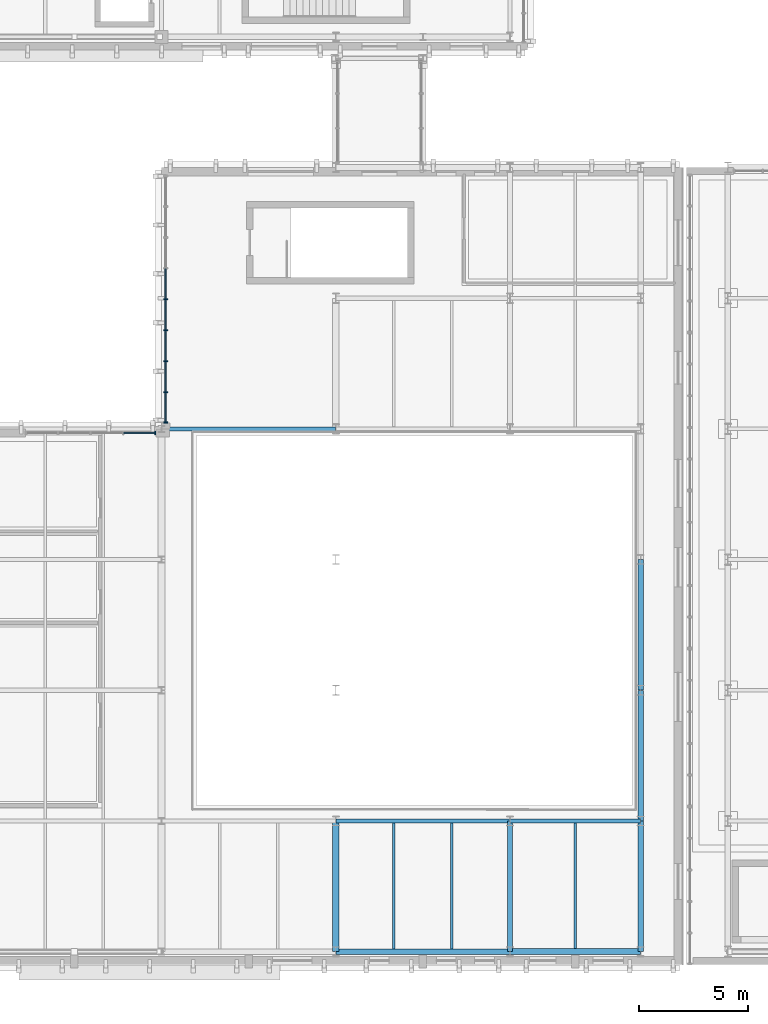
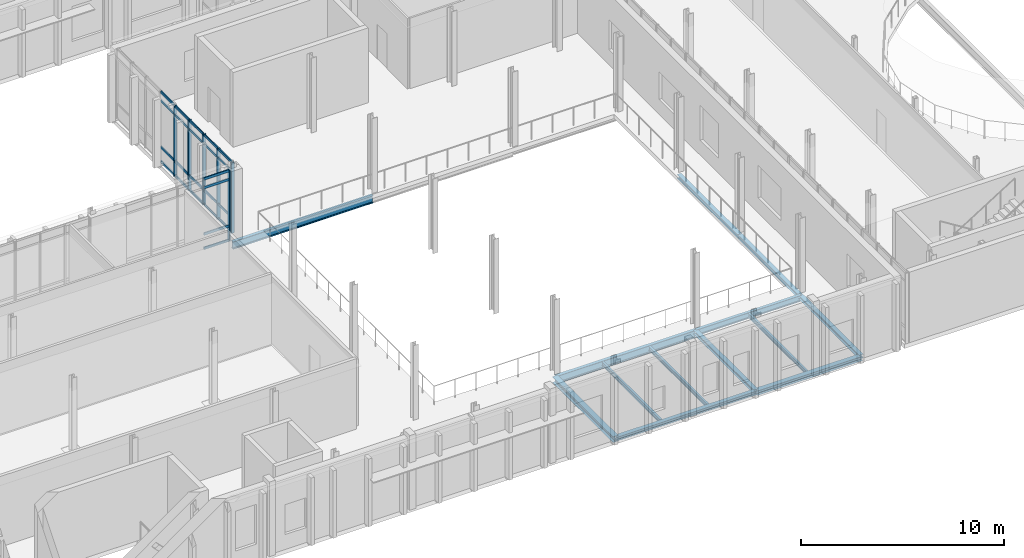
# One storey, part 16 of 100: 30 members, 13 beams, 2 elements without a shape of their own.
"""IFC4 building model written with IfcOpenShell, lengths in metres."""

from ifc_helpers import new_model, si_unit, direction, frame, origin, origin_2d, place, context, subcontext, project, spatial, rectangle, i_section, extrude, material, material_profile, profile_set, type_object, element, aggregate, save


model = new_model("IFC4")

# Units and contexts
model_context = context("Model", 3, precision=1e-05, world=origin(), true_north=direction((0.0, 1.0)))
body_context = subcontext(model_context, "Body", "Model", "MODEL_VIEW")
ifc_project = project(units=[si_unit("LENGTHUNIT", "METRE"), si_unit("AREAUNIT", "SQUARE_METRE"), si_unit("VOLUMEUNIT", "CUBIC_METRE"), si_unit("PLANEANGLEUNIT", "RADIAN"), si_unit("MASSUNIT", "GRAM", prefix="KILO")], contexts=[model_context])

# Site, building, storey
site_placement = place(None, origin())
site = spatial("IfcSite", under=ifc_project, at=site_placement, CompositionType="ELEMENT")
building_placement = place(site_placement, origin())
building = spatial("IfcBuilding", under=site, at=building_placement, Name="Cymarion Research Institute", CompositionType="ELEMENT")
storey_placement = place(building_placement, frame((0.0, 0.0, 9.300048828125)))
storey = spatial("IfcBuildingStorey", under=building, at=storey_placement, Name="L02", CompositionType="ELEMENT", Elevation=9.300048828125)

# Curtain wall, members
ifc_material_1 = material(Name="Anodised aluminium unitised curtain wall with Low-E glazing", Category="aluminium")
curtain_wall_type_1 = type_object("IfcCurtainWallType", Name="UNITISED CURTAIN WALL CW15 11380X4250", PredefinedType="NOTDEFINED", material=ifc_material_1)
curtain_wall_1_placement = place(storey_placement, origin())
curtain_wall_1 = element("IfcCurtainWall", 1, at=curtain_wall_1_placement, inside=storey, type_object=curtain_wall_type_1, Name="L02 V3 unitised curtain wall CW15 #93", PredefinedType="NOTDEFINED")
ifc_material_2 = material(Name="Anodised aluminium framing", Category="aluminium")
ifc_material_profile_1 = material_profile(ifc_material_2, rectangle(XDim=0.06005859375, YDim=0.179931640625, at=origin_2d()), Name="ALU MULLION 60x180")
ifc_profile_set_1 = profile_set([ifc_material_profile_1], Name="Anodised aluminium framing")
member_type_1 = type_object("IfcMemberType", Name="CURTAIN WALL MULLION ML01 60X180", PredefinedType="MULLION", material=ifc_profile_set_1)
member_1_placement = place(storey_placement, frame((30.7900390625, 35.448974609375, 0.0), z_axis=(0.0, 0.0, 1.0), x_axis=(0.0, -1.0, 0.0)))
member_1 = element("IfcMember", 2, at=member_1_placement, type_object=member_type_1, Name="CW15 mullion 5", PredefinedType="MULLION", context=body_context, shape_type="SweptSolid", body=[
    extrude(rectangle(XDim=0.06005859375, YDim=0.179931640625, at=origin_2d()), origin(), (0.0, 0.0, 1.0), 4.25),
])
member_2_placement = place(storey_placement, frame((30.7900390625, 34.02685546875, 0.0), z_axis=(0.0, 0.0, 1.0), x_axis=(0.0, -1.0, 0.0)))
member_2 = element("IfcMember", 3, at=member_2_placement, type_object=member_type_1, Name="CW15 mullion 6", PredefinedType="MULLION", context=body_context, shape_type="SweptSolid", body=[
    extrude(rectangle(XDim=0.06005859375, YDim=0.179931640625, at=origin_2d()), origin(), (0.0, 0.0, 1.0), 4.25),
])
member_3_placement = place(storey_placement, frame((30.7900390625, 32.6044921875, 0.0), z_axis=(0.0, 0.0, 1.0), x_axis=(0.0, -1.0, 0.0)))
member_3 = element("IfcMember", 4, at=member_3_placement, type_object=member_type_1, Name="CW15 mullion 7", PredefinedType="MULLION", context=body_context, shape_type="SweptSolid", body=[
    extrude(rectangle(XDim=0.06005859375, YDim=0.179931640625, at=origin_2d()), origin(), (0.0, 0.0, 1.0), 4.25),
])
member_4_placement = place(storey_placement, frame((30.7900390625, 31.18212890625, 0.0), z_axis=(0.0, 0.0, 1.0), x_axis=(0.0, -1.0, 0.0)))
member_4 = element("IfcMember", 5, at=member_4_placement, type_object=member_type_1, Name="CW15 mullion 8", PredefinedType="MULLION", context=body_context, shape_type="SweptSolid", body=[
    extrude(rectangle(XDim=0.06005859375, YDim=0.179931640625, at=origin_2d()), origin(), (0.0, 0.0, 1.0), 4.25),
])
member_5_placement = place(storey_placement, frame((30.7900390625, 29.7900390625, 0.0), z_axis=(0.0, 0.0, 1.0), x_axis=(0.0, -1.0, 0.0)))
member_5 = element("IfcMember", 6, at=member_5_placement, type_object=member_type_1, Name="CW15 mullion 9", PredefinedType="MULLION", context=body_context, shape_type="SweptSolid", body=[
    extrude(rectangle(XDim=0.06005859375, YDim=0.179931640625, at=origin_2d()), origin(), (0.0, 0.0, 1.0), 4.25),
])

# Curtain wall, member
curtain_wall_type_2 = type_object("IfcCurtainWallType", Name="UNITISED CURTAIN WALL CW16 5990X4250", PredefinedType="NOTDEFINED", material=ifc_material_1)
curtain_wall_2_placement = place(storey_placement, origin())
curtain_wall_2 = element("IfcCurtainWall", 7, at=curtain_wall_2_placement, inside=storey, type_object=curtain_wall_type_2, Name="L02 V3 unitised curtain wall CW16 #94", PredefinedType="NOTDEFINED")
member_6_placement = place(storey_placement, frame((30.31005859375, 29.31005859375, 0.0), z_axis=(0.0, 0.0, 1.0), x_axis=(-1.0, 0.0, 0.0)))
member_6 = element("IfcMember", 8, at=member_6_placement, type_object=member_type_1, Name="CW16 mullion 1", PredefinedType="MULLION", context=body_context, shape_type="SweptSolid", body=[
    extrude(rectangle(XDim=0.06005859375, YDim=0.179931640625, at=origin_2d()), origin(), (0.0, 0.0, 1.0), 4.25),
])

# Member
ifc_material_profile_2 = material_profile(ifc_material_2, rectangle(XDim=0.06005859375, YDim=0.14990234375, at=origin_2d()), Name="ALU TRANSOM 60x150")
ifc_profile_set_2 = profile_set([ifc_material_profile_2], Name="Anodised aluminium framing")
member_type_2 = type_object("IfcMemberType", Name="CURTAIN WALL TRANSOM TR01 60X150", PredefinedType="USERDEFINED", material=ifc_profile_set_2)
member_7_placement = place(storey_placement, frame((30.7900390625, 36.84130859375, 0.030029296875), z_axis=(0.0, -1.0, 0.0), x_axis=(1.0, 0.0, 0.0)))
member_7 = element("IfcMember", 9, at=member_7_placement, type_object=member_type_2, Name="CW15 transom 4.1", ObjectType="TRANSOM", PredefinedType="USERDEFINED", context=body_context, shape_type="SweptSolid", body=[
    extrude(rectangle(XDim=0.06005859375, YDim=0.14990234375, at=origin_2d()), origin(), (0.0, 0.0, 1.0), 1.3623046875),
])

member_8_placement = place(storey_placement, frame((30.7900390625, 36.84130859375, 0.89990234375), z_axis=(0.0, -1.0, 0.0), x_axis=(1.0, 0.0, 0.0)))
member_8 = element("IfcMember", 10, at=member_8_placement, type_object=member_type_2, Name="CW15 transom 4.2", ObjectType="TRANSOM", PredefinedType="USERDEFINED", context=body_context, shape_type="SweptSolid", body=[
    extrude(rectangle(XDim=0.06005859375, YDim=0.14990234375, at=origin_2d()), origin(), (0.0, 0.0, 1.0), 1.3623046875),
])

member_9_placement = place(storey_placement, frame((30.7900390625, 36.84130859375, 3.699951171875), z_axis=(0.0, -1.0, 0.0), x_axis=(1.0, 0.0, 0.0)))
member_9 = element("IfcMember", 11, at=member_9_placement, type_object=member_type_2, Name="CW15 transom 4.3", ObjectType="TRANSOM", PredefinedType="USERDEFINED", context=body_context, shape_type="SweptSolid", body=[
    extrude(rectangle(XDim=0.06005859375, YDim=0.14990234375, at=origin_2d()), origin(), (0.0, 0.0, 1.0), 1.3623046875),
])

member_10_placement = place(storey_placement, frame((30.7900390625, 36.84130859375, 4.219970703125), z_axis=(0.0, -1.0, 0.0), x_axis=(1.0, 0.0, 0.0)))
member_10 = element("IfcMember", 12, at=member_10_placement, type_object=member_type_2, Name="CW15 transom 4.4", ObjectType="TRANSOM", PredefinedType="USERDEFINED", context=body_context, shape_type="SweptSolid", body=[
    extrude(rectangle(XDim=0.06005859375, YDim=0.14990234375, at=origin_2d()), origin(), (0.0, 0.0, 1.0), 1.3623046875),
])

member_11_placement = place(storey_placement, frame((30.7900390625, 35.4189453125, 0.030029296875), z_axis=(0.0, -1.0, 0.0), x_axis=(1.0, 0.0, 0.0)))
member_11 = element("IfcMember", 13, at=member_11_placement, type_object=member_type_2, Name="CW15 transom 5.1", ObjectType="TRANSOM", PredefinedType="USERDEFINED", context=body_context, shape_type="SweptSolid", body=[
    extrude(rectangle(XDim=0.06005859375, YDim=0.14990234375, at=origin_2d()), origin(), (0.0, 0.0, 1.0), 1.3623046875),
])

member_12_placement = place(storey_placement, frame((30.7900390625, 35.4189453125, 0.89990234375), z_axis=(0.0, -1.0, 0.0), x_axis=(1.0, 0.0, 0.0)))
member_12 = element("IfcMember", 14, at=member_12_placement, type_object=member_type_2, Name="CW15 transom 5.2", ObjectType="TRANSOM", PredefinedType="USERDEFINED", context=body_context, shape_type="SweptSolid", body=[
    extrude(rectangle(XDim=0.06005859375, YDim=0.14990234375, at=origin_2d()), origin(), (0.0, 0.0, 1.0), 1.3623046875),
])

member_13_placement = place(storey_placement, frame((30.7900390625, 35.4189453125, 3.699951171875), z_axis=(0.0, -1.0, 0.0), x_axis=(1.0, 0.0, 0.0)))
member_13 = element("IfcMember", 15, at=member_13_placement, type_object=member_type_2, Name="CW15 transom 5.3", ObjectType="TRANSOM", PredefinedType="USERDEFINED", context=body_context, shape_type="SweptSolid", body=[
    extrude(rectangle(XDim=0.06005859375, YDim=0.14990234375, at=origin_2d()), origin(), (0.0, 0.0, 1.0), 1.3623046875),
])

member_14_placement = place(storey_placement, frame((30.7900390625, 35.4189453125, 4.219970703125), z_axis=(0.0, -1.0, 0.0), x_axis=(1.0, 0.0, 0.0)))
member_14 = element("IfcMember", 16, at=member_14_placement, type_object=member_type_2, Name="CW15 transom 5.4", ObjectType="TRANSOM", PredefinedType="USERDEFINED", context=body_context, shape_type="SweptSolid", body=[
    extrude(rectangle(XDim=0.06005859375, YDim=0.14990234375, at=origin_2d()), origin(), (0.0, 0.0, 1.0), 1.3623046875),
])

member_15_placement = place(storey_placement, frame((30.7900390625, 33.996826171875, 0.030029296875), z_axis=(0.0, -1.0, 0.0), x_axis=(1.0, 0.0, 0.0)))
member_15 = element("IfcMember", 17, at=member_15_placement, type_object=member_type_2, Name="CW15 transom 6.1", ObjectType="TRANSOM", PredefinedType="USERDEFINED", context=body_context, shape_type="SweptSolid", body=[
    extrude(rectangle(XDim=0.06005859375, YDim=0.14990234375, at=origin_2d()), origin(), (0.0, 0.0, 1.0), 1.3623046875),
])

member_16_placement = place(storey_placement, frame((30.7900390625, 33.996826171875, 0.89990234375), z_axis=(0.0, -1.0, 0.0), x_axis=(1.0, 0.0, 0.0)))
member_16 = element("IfcMember", 18, at=member_16_placement, type_object=member_type_2, Name="CW15 transom 6.2", ObjectType="TRANSOM", PredefinedType="USERDEFINED", context=body_context, shape_type="SweptSolid", body=[
    extrude(rectangle(XDim=0.06005859375, YDim=0.14990234375, at=origin_2d()), origin(), (0.0, 0.0, 1.0), 1.3623046875),
])

member_17_placement = place(storey_placement, frame((30.7900390625, 33.996826171875, 3.699951171875), z_axis=(0.0, -1.0, 0.0), x_axis=(1.0, 0.0, 0.0)))
member_17 = element("IfcMember", 19, at=member_17_placement, type_object=member_type_2, Name="CW15 transom 6.3", ObjectType="TRANSOM", PredefinedType="USERDEFINED", context=body_context, shape_type="SweptSolid", body=[
    extrude(rectangle(XDim=0.06005859375, YDim=0.14990234375, at=origin_2d()), origin(), (0.0, 0.0, 1.0), 1.3623046875),
])

member_18_placement = place(storey_placement, frame((30.7900390625, 33.996826171875, 4.219970703125), z_axis=(0.0, -1.0, 0.0), x_axis=(1.0, 0.0, 0.0)))
member_18 = element("IfcMember", 20, at=member_18_placement, type_object=member_type_2, Name="CW15 transom 6.4", ObjectType="TRANSOM", PredefinedType="USERDEFINED", context=body_context, shape_type="SweptSolid", body=[
    extrude(rectangle(XDim=0.06005859375, YDim=0.14990234375, at=origin_2d()), origin(), (0.0, 0.0, 1.0), 1.3623046875),
])

member_19_placement = place(storey_placement, frame((30.7900390625, 32.574462890625, 0.030029296875), z_axis=(0.0, -1.0, 0.0), x_axis=(1.0, 0.0, 0.0)))
member_19 = element("IfcMember", 21, at=member_19_placement, type_object=member_type_2, Name="CW15 transom 7.1", ObjectType="TRANSOM", PredefinedType="USERDEFINED", context=body_context, shape_type="SweptSolid", body=[
    extrude(rectangle(XDim=0.06005859375, YDim=0.14990234375, at=origin_2d()), origin(), (0.0, 0.0, 1.0), 1.3623046875),
])

member_20_placement = place(storey_placement, frame((30.7900390625, 32.574462890625, 0.89990234375), z_axis=(0.0, -1.0, 0.0), x_axis=(1.0, 0.0, 0.0)))
member_20 = element("IfcMember", 22, at=member_20_placement, type_object=member_type_2, Name="CW15 transom 7.2", ObjectType="TRANSOM", PredefinedType="USERDEFINED", context=body_context, shape_type="SweptSolid", body=[
    extrude(rectangle(XDim=0.06005859375, YDim=0.14990234375, at=origin_2d()), origin(), (0.0, 0.0, 1.0), 1.3623046875),
])

member_21_placement = place(storey_placement, frame((30.7900390625, 32.574462890625, 3.699951171875), z_axis=(0.0, -1.0, 0.0), x_axis=(1.0, 0.0, 0.0)))
member_21 = element("IfcMember", 23, at=member_21_placement, type_object=member_type_2, Name="CW15 transom 7.3", ObjectType="TRANSOM", PredefinedType="USERDEFINED", context=body_context, shape_type="SweptSolid", body=[
    extrude(rectangle(XDim=0.06005859375, YDim=0.14990234375, at=origin_2d()), origin(), (0.0, 0.0, 1.0), 1.3623046875),
])

member_22_placement = place(storey_placement, frame((30.7900390625, 32.574462890625, 4.219970703125), z_axis=(0.0, -1.0, 0.0), x_axis=(1.0, 0.0, 0.0)))
member_22 = element("IfcMember", 24, at=member_22_placement, type_object=member_type_2, Name="CW15 transom 7.4", ObjectType="TRANSOM", PredefinedType="USERDEFINED", context=body_context, shape_type="SweptSolid", body=[
    extrude(rectangle(XDim=0.06005859375, YDim=0.14990234375, at=origin_2d()), origin(), (0.0, 0.0, 1.0), 1.3623046875),
])

member_23_placement = place(storey_placement, frame((30.7900390625, 31.15234375, 0.030029296875), z_axis=(0.0, -1.0, 0.0), x_axis=(1.0, 0.0, 0.0)))
member_23 = element("IfcMember", 25, at=member_23_placement, type_object=member_type_2, Name="CW15 transom 8.1", ObjectType="TRANSOM", PredefinedType="USERDEFINED", context=body_context, shape_type="SweptSolid", body=[
    extrude(rectangle(XDim=0.06005859375, YDim=0.14990234375, at=origin_2d()), origin(), (0.0, 0.0, 1.0), 1.332275390625),
])

member_24_placement = place(storey_placement, frame((30.7900390625, 31.15234375, 0.89990234375), z_axis=(0.0, -1.0, 0.0), x_axis=(1.0, 0.0, 0.0)))
member_24 = element("IfcMember", 26, at=member_24_placement, type_object=member_type_2, Name="CW15 transom 8.2", ObjectType="TRANSOM", PredefinedType="USERDEFINED", context=body_context, shape_type="SweptSolid", body=[
    extrude(rectangle(XDim=0.06005859375, YDim=0.14990234375, at=origin_2d()), origin(), (0.0, 0.0, 1.0), 1.332275390625),
])

member_25_placement = place(storey_placement, frame((30.7900390625, 31.15234375, 3.699951171875), z_axis=(0.0, -1.0, 0.0), x_axis=(1.0, 0.0, 0.0)))
member_25 = element("IfcMember", 27, at=member_25_placement, type_object=member_type_2, Name="CW15 transom 8.3", ObjectType="TRANSOM", PredefinedType="USERDEFINED", context=body_context, shape_type="SweptSolid", body=[
    extrude(rectangle(XDim=0.06005859375, YDim=0.14990234375, at=origin_2d()), origin(), (0.0, 0.0, 1.0), 1.332275390625),
])

member_26_placement = place(storey_placement, frame((30.7900390625, 31.15234375, 4.219970703125), z_axis=(0.0, -1.0, 0.0), x_axis=(1.0, 0.0, 0.0)))
member_26 = element("IfcMember", 28, at=member_26_placement, type_object=member_type_2, Name="CW15 transom 8.4", ObjectType="TRANSOM", PredefinedType="USERDEFINED", context=body_context, shape_type="SweptSolid", body=[
    extrude(rectangle(XDim=0.06005859375, YDim=0.14990234375, at=origin_2d()), origin(), (0.0, 0.0, 1.0), 1.332275390625),
])

aggregate(curtain_wall_1, [member_1, member_2, member_3, member_4, member_5, member_7, member_8, member_9, member_10, member_11, member_12, member_13, member_14, member_15, member_16, member_17, member_18, member_19, member_20, member_21, member_22, member_23, member_24, member_25, member_26])

member_27_placement = place(storey_placement, frame((30.280029296875, 29.31005859375, 0.030029296875), z_axis=(-1.0, 0.0, 0.0), x_axis=(0.0, -1.0, 0.0)))
member_27 = element("IfcMember", 29, at=member_27_placement, type_object=member_type_2, Name="CW16 transom 1.1", ObjectType="TRANSOM", PredefinedType="USERDEFINED", context=body_context, shape_type="SweptSolid", body=[
    extrude(rectangle(XDim=0.06005859375, YDim=0.14990234375, at=origin_2d()), origin(), (0.0, 0.0, 1.0), 1.407470703125),
])

member_28_placement = place(storey_placement, frame((30.280029296875, 29.31005859375, 0.89990234375), z_axis=(-1.0, 0.0, 0.0), x_axis=(0.0, -1.0, 0.0)))
member_28 = element("IfcMember", 30, at=member_28_placement, type_object=member_type_2, Name="CW16 transom 1.2", ObjectType="TRANSOM", PredefinedType="USERDEFINED", context=body_context, shape_type="SweptSolid", body=[
    extrude(rectangle(XDim=0.06005859375, YDim=0.14990234375, at=origin_2d()), origin(), (0.0, 0.0, 1.0), 1.407470703125),
])

member_29_placement = place(storey_placement, frame((30.280029296875, 29.31005859375, 3.699951171875), z_axis=(-1.0, 0.0, 0.0), x_axis=(0.0, -1.0, 0.0)))
member_29 = element("IfcMember", 31, at=member_29_placement, type_object=member_type_2, Name="CW16 transom 1.3", ObjectType="TRANSOM", PredefinedType="USERDEFINED", context=body_context, shape_type="SweptSolid", body=[
    extrude(rectangle(XDim=0.06005859375, YDim=0.14990234375, at=origin_2d()), origin(), (0.0, 0.0, 1.0), 1.407470703125),
])

member_30_placement = place(storey_placement, frame((30.280029296875, 29.31005859375, 4.219970703125), z_axis=(-1.0, 0.0, 0.0), x_axis=(0.0, -1.0, 0.0)))
member_30 = element("IfcMember", 32, at=member_30_placement, type_object=member_type_2, Name="CW16 transom 1.4", ObjectType="TRANSOM", PredefinedType="USERDEFINED", context=body_context, shape_type="SweptSolid", body=[
    extrude(rectangle(XDim=0.06005859375, YDim=0.14990234375, at=origin_2d()), origin(), (0.0, 0.0, 1.0), 1.407470703125),
])

aggregate(curtain_wall_2, [member_6, member_27, member_28, member_29, member_30])

# Beams
ifc_material_3 = material(Name="Steel S355", Category="steel")
ifc_material_profile_3 = material_profile(ifc_material_3, i_section(OverallWidth=0.18994140625, OverallDepth=0.449951171875, WebThickness=0.009521484375, FlangeThickness=0.0146484375, FilletRadius=0.02099609375, at=origin_2d()), Name="IPE 450")
ifc_profile_set_3 = profile_set([ifc_material_profile_3], Name="Steel S355")
beam_type_1 = type_object("IfcBeamType", Name="PRIMARY GIRDER BM04 IPE 450", PredefinedType="BEAM", material=ifc_profile_set_3)
for number, where, z_axis, x_axis, name in (
    (33, (38.60595703125, 11.5, -0.47509765625), (1.0, 0.0, 0.0), (0.0, 1.0, 0.0), "L02 V3 girder BM04 #950"),
    (34, (30.60595703125, 29.5, -0.47509765625), (1.0, 0.0, 0.0), (0.0, 1.0, 0.0), "L02 V3 girder BM04 #961"),
):
    element("IfcBeam", number, at=place(storey_placement, frame(where, z_axis=z_axis, x_axis=x_axis)), inside=storey, type_object=beam_type_1, Name=name, PredefinedType="BEAM", context=body_context, shape_type="SweptSolid", body=[
        extrude(i_section(OverallWidth=0.18994140625, OverallDepth=0.449951171875, WebThickness=0.009521484375, FlangeThickness=0.0146484375, FilletRadius=0.02099609375, at=origin_2d()), origin(), (0.0, 0.0, 1.0), 7.988037109375),
    ])
ifc_material_profile_4 = material_profile(ifc_material_3, i_section(OverallWidth=0.169921875, OverallDepth=0.360107421875, WebThickness=0.008056640625, FlangeThickness=0.0126953125, FilletRadius=0.01806640625, at=origin_2d()), Name="IPE 360")
ifc_profile_set_4 = profile_set([ifc_material_profile_4], Name="Steel S355")
beam_type_2 = type_object("IfcBeamType", Name="PRIMARY GIRDER BM06 IPE 360", PredefinedType="BEAM", material=ifc_profile_set_4)
beam_1_placement = place(storey_placement, frame((46.60595703125, 11.5, -0.429931640625), z_axis=(1.0, 0.0, 0.0), x_axis=(0.0, 1.0, 0.0)))
element("IfcBeam", 35, at=beam_1_placement, inside=storey, type_object=beam_type_2, Name="L02 V3 girder BM06 #951", PredefinedType="BEAM", context=body_context, shape_type="SweptSolid", body=[
    extrude(i_section(OverallWidth=0.169921875, OverallDepth=0.360107421875, WebThickness=0.008056640625, FlangeThickness=0.0126953125, FilletRadius=0.01806640625, at=origin_2d()), origin(), (0.0, 0.0, 1.0), 5.988037109375),
])
ifc_material_profile_5 = material_profile(ifc_material_3, i_section(OverallWidth=0.300048828125, OverallDepth=0.35009765625, WebThickness=0.010009765625, FlangeThickness=0.017578125, FilletRadius=0.027099609375, at=origin_2d()), Name="HEA 360")
ifc_profile_set_5 = profile_set([ifc_material_profile_5], Name="Steel S355")
beam_type_3 = type_object("IfcBeamType", Name="PRIMARY GIRDER BM12 HEA 360", PredefinedType="BEAM", material=ifc_profile_set_5)
beam_2_placement = place(storey_placement, frame((38.60009765625, 5.506103515625, -0.425048828125), z_axis=(0.0, 1.0, 0.0), x_axis=(-1.0, 0.0, 0.0)))
element("IfcBeam", 36, at=beam_2_placement, inside=storey, type_object=beam_type_3, Name="L02 V3 girder BM12 #985", PredefinedType="BEAM", context=body_context, shape_type="SweptSolid", body=[
    extrude(i_section(OverallWidth=0.300048828125, OverallDepth=0.35009765625, WebThickness=0.010009765625, FlangeThickness=0.017578125, FilletRadius=0.027099609375, at=origin_2d()), origin(), (0.0, 0.0, 1.0), 5.98779296875),
])
ifc_material_profile_6 = material_profile(ifc_material_3, i_section(OverallWidth=0.1201171875, OverallDepth=0.239990234375, WebThickness=0.006103515625, FlangeThickness=0.009765625, FilletRadius=0.014892578125, at=origin_2d()), Name="IPE 240")
ifc_profile_set_6 = profile_set([ifc_material_profile_6], Name="Steel S355")
beam_type_4 = type_object("IfcBeamType", Name="SECONDARY JOIST JS04 IPE 240", PredefinedType="JOIST", material=ifc_profile_set_6)
for number, where, z_axis, x_axis, name in (
    (37, (41.2666015625, 5.6240234375, -0.3701171875), (0.0, 1.0, 0.0), (-1.0, 0.0, 0.0), "L02 V3 secondary joist JS04 #1003"),
    (38, (43.933349609375, 5.6240234375, -0.3701171875), (0.0, 1.0, 0.0), (-1.0, 0.0, 0.0), "L02 V3 secondary joist JS04 #1004"),
):
    element("IfcBeam", number, at=place(storey_placement, frame(where, z_axis=z_axis, x_axis=x_axis)), inside=storey, type_object=beam_type_4, Name=name, PredefinedType="JOIST", context=body_context, shape_type="SweptSolid", body=[
        extrude(i_section(OverallWidth=0.1201171875, OverallDepth=0.239990234375, WebThickness=0.006103515625, FlangeThickness=0.009765625, FilletRadius=0.014892578125, at=origin_2d()), origin(), (0.0, 0.0, 1.0), 5.77685546875),
    ])
beam_3_placement = place(storey_placement, frame((49.60009765625, 5.64404296875, -0.3701171875), z_axis=(0.0, 1.0, 0.0), x_axis=(-1.0, 0.0, 0.0)))
element("IfcBeam", 39, at=beam_3_placement, inside=storey, type_object=beam_type_4, Name="L02 V3 secondary joist JS04 #1005", PredefinedType="JOIST", context=body_context, shape_type="SweptSolid", body=[
    extrude(i_section(OverallWidth=0.1201171875, OverallDepth=0.239990234375, WebThickness=0.006103515625, FlangeThickness=0.009765625, FilletRadius=0.014892578125, at=origin_2d()), origin(), (0.0, 0.0, 1.0), 5.766845703125),
])
ifc_material_profile_7 = material_profile(ifc_material_3, i_section(OverallWidth=0.280029296875, OverallDepth=0.27001953125, WebThickness=0.008056640625, FlangeThickness=0.012939453125, FilletRadius=0.02392578125, at=origin_2d()), Name="HEA 280")
ifc_profile_set_7 = profile_set([ifc_material_profile_7], Name="Steel S355")
beam_type_5 = type_object("IfcBeamType", Name="SPANDREL BEAM SPB02 HEA 280", PredefinedType="SPANDREL", material=ifc_profile_set_7)
beam_4_placement = place(storey_placement, frame((46.60595703125, 5.5, -0.385009765625), z_axis=(1.0, 0.0, 0.0), x_axis=(0.0, 1.0, 0.0)))
element("IfcBeam", 40, at=beam_4_placement, inside=storey, type_object=beam_type_5, Name="L02 V3 girder SPB02 #945", PredefinedType="SPANDREL", context=body_context, shape_type="SweptSolid", body=[
    extrude(i_section(OverallWidth=0.280029296875, OverallDepth=0.27001953125, WebThickness=0.008056640625, FlangeThickness=0.012939453125, FilletRadius=0.02392578125, at=origin_2d()), origin(), (0.0, 0.0, 1.0), 5.988037109375),
])
ifc_material_profile_8 = material_profile(ifc_material_3, i_section(OverallWidth=0.239990234375, OverallDepth=0.22998046875, WebThickness=0.007568359375, FlangeThickness=0.011962890625, FilletRadius=0.02099609375, at=origin_2d()), Name="HEA 240")
ifc_profile_set_8 = profile_set([ifc_material_profile_8], Name="Steel S355")
beam_type_6 = type_object("IfcBeamType", Name="SPANDREL BEAM SPB03 HEA 240", PredefinedType="SPANDREL", material=ifc_profile_set_8)
beam_5_placement = place(storey_placement, frame((38.60595703125, 5.5, -0.364990234375), z_axis=(1.0, 0.0, 0.0), x_axis=(0.0, 1.0, 0.0)))
element("IfcBeam", 41, at=beam_5_placement, inside=storey, type_object=beam_type_6, Name="L02 V3 girder SPB03 #944", PredefinedType="SPANDREL", context=body_context, shape_type="SweptSolid", body=[
    extrude(i_section(OverallWidth=0.239990234375, OverallDepth=0.22998046875, WebThickness=0.007568359375, FlangeThickness=0.011962890625, FilletRadius=0.02099609375, at=origin_2d()), origin(), (0.0, 0.0, 1.0), 7.988037109375),
])
for number, where, z_axis, x_axis, name in (
    (42, (46.60009765625, 5.506103515625, -0.364990234375), (0.0, 1.0, 0.0), (-1.0, 0.0, 0.0), "L02 V3 girder SPB03 #989"),
    (43, (52.60009765625, 5.506103515625, -0.364990234375), (0.0, 1.0, 0.0), (-1.0, 0.0, 0.0), "L02 V3 girder SPB03 #992"),
    (44, (52.60009765625, 11.506103515625, -0.364990234375), (0.0, 1.0, 0.0), (-1.0, 0.0, 0.0), "L02 V3 girder SPB03 #993"),
    (45, (52.60009765625, 17.506103515625, -0.364990234375), (0.0, 1.0, 0.0), (-1.0, 0.0, 0.0), "L02 V3 girder SPB03 #994"),
):
    element("IfcBeam", number, at=place(storey_placement, frame(where, z_axis=z_axis, x_axis=x_axis)), inside=storey, type_object=beam_type_6, Name=name, PredefinedType="SPANDREL", context=body_context, shape_type="SweptSolid", body=[
        extrude(i_section(OverallWidth=0.239990234375, OverallDepth=0.22998046875, WebThickness=0.007568359375, FlangeThickness=0.011962890625, FilletRadius=0.02099609375, at=origin_2d()), origin(), (0.0, 0.0, 1.0), 5.98779296875),
    ])

save(model, "model.ifc")
